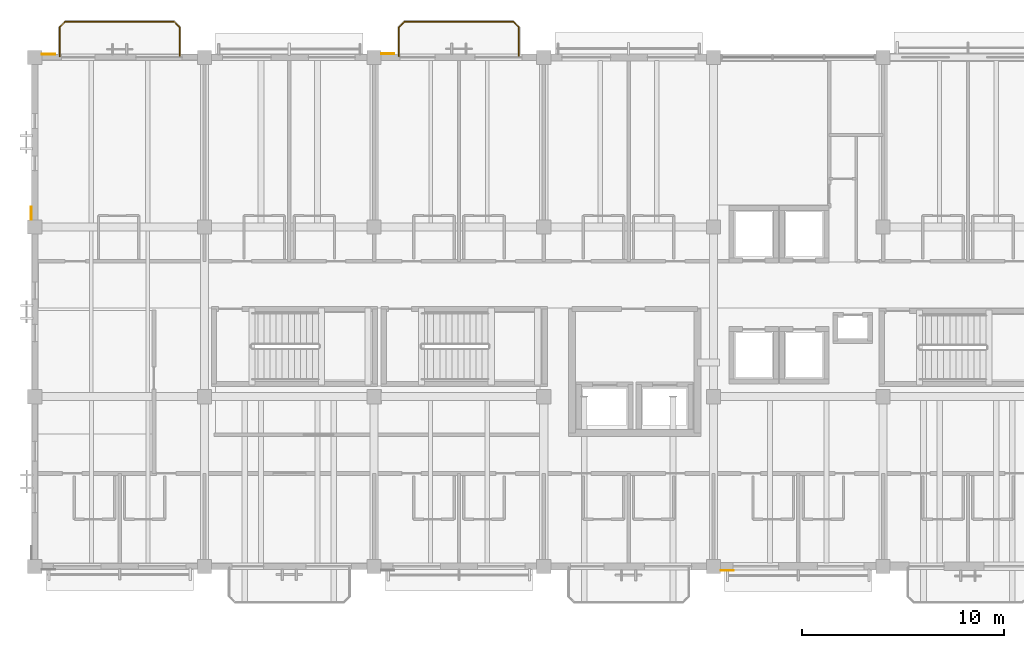
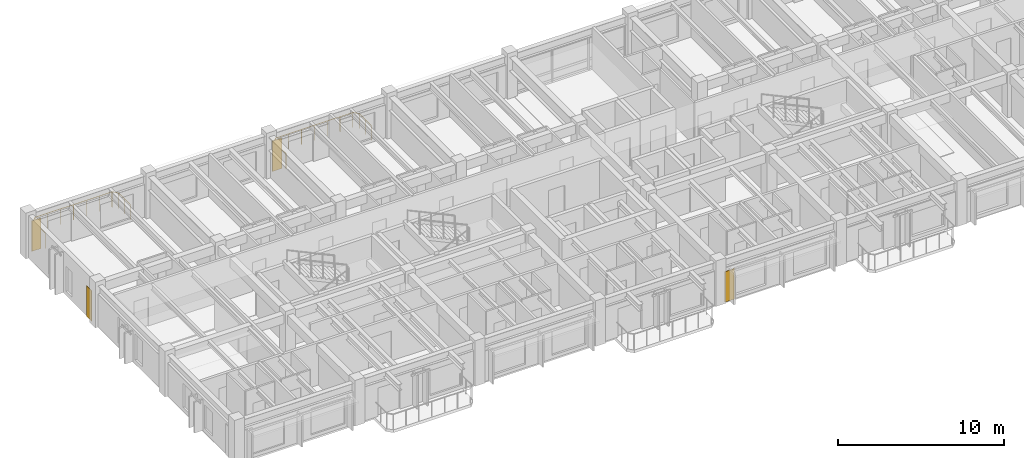
# One storey, part 15 of 18: 4 coverings, 2 railings.
"""IFC4 building model written with IfcOpenShell, lengths in metres."""

import ifcopenshell
import ifcopenshell.guid

model = None  # the IFC model being written
_history = None  # IfcOwnerHistory: only IFC2X3 demands one
_inside = {}  # id of a spatial element -> (the spatial element, [elements in it])
_under = {}  # id of a project, library or spatial element -> (it, [spatial elements below it])
_declared = {}  # id of a project -> (the project, [libraries it declares])
_typed = {}  # id of a type object -> (the type object, [elements of that type])
_made_of = {}  # id of a material, layer set ... -> (it, [elements and type objects made of it])


def new_model(schema):
    """Start an empty IFC model of exactly this schema.

    Asked for "IFC4X3", IfcOpenShell would pick the latest addendum, in which some entities
    have other attributes; the version numbers below select the first issue.
    IFC2X3 requires an IfcOwnerHistory on every rooted entity: one is made here for all.
    """
    global model, _history
    if schema == "IFC4X3":
        model = ifcopenshell.file(schema_version=(4, 3, 0, 0))
    else:
        model = ifcopenshell.file(schema=schema)
    _inside.clear()
    _under.clear()
    _declared.clear()
    _typed.clear()
    _made_of.clear()
    _history = None
    if model.schema == "IFC2X3":
        org = make("IfcOrganization", Name="unknown")
        user = make(
            "IfcPersonAndOrganization",
            ThePerson=make("IfcPerson", FamilyName="unknown"),
            TheOrganization=org,
        )
        app = make(
            "IfcApplication",
            ApplicationDeveloper=org,
            Version="unknown",
            ApplicationFullName="unknown",
            ApplicationIdentifier="unknown",
        )
        _history = make(
            "IfcOwnerHistory",
            OwningUser=user,
            OwningApplication=app,
            ChangeAction="ADDED",
            CreationDate=0,
        )
    return model


def make(cls, **values):
    """One entity of the class cls with the attributes given. An attribute that is None is left unset."""
    return model.create_entity(
        cls, **{name: value for name, value in values.items() if value is not None}
    )


def rooted(cls, **values):
    """An entity with a GlobalId (a new one), such as an element, a storey or a relation."""
    return make(cls, GlobalId=ifcopenshell.guid.new(), OwnerHistory=_history, **values)


def si_unit(unit_type, name, prefix=None):
    """IfcSIUnit, for example si_unit("LENGTHUNIT", "METRE", prefix="MILLI")."""
    return make("IfcSIUnit", UnitType=unit_type, Prefix=prefix, Name=name)


def assignment(units):
    """IfcUnitAssignment: the units of a project."""
    return None if units is None else make("IfcUnitAssignment", Units=units)


def point(xyz):
    """IfcCartesianPoint."""
    return None if xyz is None else make("IfcCartesianPoint", Coordinates=xyz)


def direction(xyz):
    """IfcDirection."""
    return None if xyz is None else make("IfcDirection", DirectionRatios=xyz)


def frame(location, z_axis=None, x_axis=None):
    """IfcAxis2Placement3D, a coordinate frame: its origin and axes. An axis left out is left unset."""
    return make(
        "IfcAxis2Placement3D",
        Location=point(location),
        Axis=direction(z_axis),
        RefDirection=direction(x_axis),
    )


def frame_2d(location, x_axis=None):
    """IfcAxis2Placement2D, a coordinate frame in the plane: its origin and x axis."""
    return make(
        "IfcAxis2Placement2D", Location=point(location), RefDirection=direction(x_axis)
    )


def origin():
    """The frame at (0, 0, 0) with its axes left unset."""
    return frame((0.0, 0.0, 0.0))


def origin_2d():
    """The frame at (0, 0) in the plane with its x axis left unset."""
    return frame_2d((0.0, 0.0))


def place(relative_to, where):
    """IfcLocalPlacement: puts the frame where relative to a parent placement (None: the world)."""
    return make(
        "IfcLocalPlacement", PlacementRelTo=relative_to, RelativePlacement=where
    )


def context(
    kind, dimensions, precision=None, world=None, true_north=None, identifier=None
):
    """IfcGeometricRepresentationContext, for example the 3D "Model" context."""
    return make(
        "IfcGeometricRepresentationContext",
        ContextIdentifier=identifier,
        ContextType=kind,
        CoordinateSpaceDimension=dimensions,
        Precision=precision,
        WorldCoordinateSystem=world,
        TrueNorth=true_north,
    )


def subcontext(parent, identifier, kind, view, scale=None):
    """IfcGeometricRepresentationSubContext, for example "Body" below "Model"."""
    return make(
        "IfcGeometricRepresentationSubContext",
        ContextIdentifier=identifier,
        ContextType=kind,
        ParentContext=parent,
        TargetScale=scale,
        TargetView=view,
    )


def project(units=None, contexts=None):
    """IfcProject with its units and contexts."""
    return rooted(
        "IfcProject",
        Name="project",
        RepresentationContexts=contexts,
        UnitsInContext=assignment(units),
    )


def spatial(cls, under=None, at=None, **own):
    """A site, building, storey or space (cls), placed at a placement, below another one or the project."""
    s = rooted(cls, ObjectPlacement=at, **own)
    if under is not None:
        _under.setdefault(under.id(), (under, []))[1].append(s)
    return s


def polyline(points):
    """IfcPolyline through the points."""
    return make("IfcPolyline", Points=[point(p) for p in points])


def profile(cls, at=None, kind="AREA", **sizes):
    """A parametric profile (cls). Its sizes go by their IFC names, for example OverallWidth=200.0."""
    return make(cls, ProfileType=kind, Position=at, **sizes)


def circle(**sizes):
    """IfcCircleProfileDef."""
    return profile("IfcCircleProfileDef", **sizes)


def outline(outer, holes=None, kind="AREA"):
    """IfcArbitraryClosedProfileDef: a profile drawn as a closed curve; with holes, ...WithVoids."""
    if holes is None:
        return make("IfcArbitraryClosedProfileDef", ProfileType=kind, OuterCurve=outer)
    return make(
        "IfcArbitraryProfileDefWithVoids",
        ProfileType=kind,
        OuterCurve=outer,
        InnerCurves=holes,
    )


def extrude(swept, where, along, depth):
    """IfcExtrudedAreaSolid: the profile swept, set in the frame where, extruded along a direction by depth."""
    return make(
        "IfcExtrudedAreaSolid",
        SweptArea=swept,
        Position=where,
        ExtrudedDirection=direction(along),
        Depth=depth,
    )


def shape(context_of_items, identifier, shape_type, items):
    """IfcShapeRepresentation: the items that make up one representation, for example the "Body"."""
    return make(
        "IfcShapeRepresentation",
        ContextOfItems=context_of_items,
        RepresentationIdentifier=identifier,
        RepresentationType=shape_type,
        Items=items,
    )


def material(Name=None, Category=None):
    """IfcMaterial."""
    return make("IfcMaterial", Name=Name, Category=Category)


def layer(
    of_material, thickness, ventilated=None, Name=None, Category=None, Priority=None
):
    """IfcMaterialLayer: one layer of a wall or slab, of a material (None: an air gap)."""
    return make(
        "IfcMaterialLayer",
        Material=of_material,
        LayerThickness=thickness,
        IsVentilated=ventilated,
        Name=Name,
        Category=Category,
        Priority=Priority,
    )


def layer_set(layers, Name=None):
    """IfcMaterialLayerSet."""
    return make("IfcMaterialLayerSet", MaterialLayers=layers, LayerSetName=Name)


def made_of(thing, what):
    """Note that an element or type object is made of a material, layer set ...; save() writes the relation."""
    if what is not None:
        _made_of.setdefault(what.id(), (what, []))[1].append(thing)
    return thing


def type_object(cls, material=None, **own):
    """A type object (cls), such as IfcWallType, which elements share."""
    return made_of(rooted(cls, **own), material)


def element(
    cls,
    number,
    at=None,
    inside=None,
    cuts=None,
    type_object=None,
    material=None,
    context=None,
    identifier="Body",
    shape_type=None,
    held_by="IfcProductDefinitionShape",
    body=None,
    shapes=None,
    **own,
):
    """One element of the class cls, such as IfcWall. Its Tag is "e" and its number.

    at: its placement. inside: the storey or other place that contains it. cuts: it is an
    opening in that element (IfcRelVoidsElement). A single representation is given by context,
    identifier, shape_type and body (its items); several are given by shapes. held_by: the class
    of the entity that holds the representations. save() writes the other relations.
    """
    e = rooted(cls, Tag="e%d" % number, ObjectPlacement=at, **own)
    if body is not None:
        shapes = [shape(context, identifier, shape_type, body)]
    if shapes is not None:
        e.Representation = make(held_by, Representations=shapes)
    if inside is not None:
        _inside.setdefault(inside.id(), (inside, []))[1].append(e)
    if cuts is not None:
        rooted(
            "IfcRelVoidsElement", RelatingBuildingElement=cuts, RelatedOpeningElement=e
        )
    if type_object is not None:
        _typed.setdefault(type_object.id(), (type_object, []))[1].append(e)
    return made_of(e, material)


def aggregate(whole, parts):
    """IfcRelAggregates: a whole, such as a stair, and the parts it consists of."""
    return rooted("IfcRelAggregates", RelatingObject=whole, RelatedObjects=parts)


def save(model, path):
    """Write the relations noted so far, then the file.

    IfcRelAggregates (storeys below a building ...), IfcRelContainedInSpatialStructure (elements
    in a storey), IfcRelDefinesByType, IfcRelAssociatesMaterial and IfcRelDeclares: one each for
    every whole, place, type object, material and project.
    """
    for whole, parts in _under.values():
        aggregate(whole, parts)
    for where, things in _inside.values():
        rooted(
            "IfcRelContainedInSpatialStructure",
            RelatedElements=things,
            RelatingStructure=where,
        )
    for kind, things in _typed.values():
        rooted("IfcRelDefinesByType", RelatedObjects=things, RelatingType=kind)
    for what, things in _made_of.values():
        rooted("IfcRelAssociatesMaterial", RelatedObjects=things, RelatingMaterial=what)
    for by, libraries in _declared.values():
        rooted("IfcRelDeclares", RelatingContext=by, RelatedDefinitions=libraries)
    model.write(path)


model = new_model("IFC4")

# Units and contexts
model_context = context("Model", 3, precision=1e-05, world=origin(), true_north=direction((0.0, 1.0)))
body_context = subcontext(model_context, "Body", "Model", "MODEL_VIEW")
ifc_project = project(units=[si_unit("LENGTHUNIT", "METRE"), si_unit("AREAUNIT", "SQUARE_METRE"), si_unit("VOLUMEUNIT", "CUBIC_METRE"), si_unit("PLANEANGLEUNIT", "RADIAN"), si_unit("MASSUNIT", "GRAM", prefix="KILO")], contexts=[model_context])

# Site, building, storey
site_placement = place(None, origin())
site = spatial("IfcSite", under=ifc_project, at=site_placement, CompositionType="ELEMENT")
building_placement = place(site_placement, origin())
building = spatial("IfcBuilding", under=site, at=building_placement, Name="Cumbredor Promenade Congress Hotel", CompositionType="ELEMENT")
storey_placement = place(building_placement, frame((0.0, 0.0, 25.199951171875)))
storey = spatial("IfcBuildingStorey", under=building, at=storey_placement, Name="L07", CompositionType="ELEMENT", Elevation=25.199951171875)

# Covering
ifc_material_1 = material(Name="Precast concrete C40/50", Category="concrete")
ifc_layer_1 = layer(ifc_material_1, 0.044921875, Name="Precast concrete C40/50", Category="concrete")
ifc_layer_set_1 = layer_set([ifc_layer_1], Name="Precast concrete C40/50")
covering_type_1 = type_object("IfcCoveringType", Name="Board-Formed Architectural Cladding Panel 45mm", PredefinedType="CLADDING", material=ifc_layer_set_1)
covering_1_placement = place(storey_placement, origin())
element("IfcCovering", 1, at=covering_1_placement, inside=storey, type_object=covering_type_1, Name="L07 Facade Stone Cladding Pier 226", PredefinedType="CLADDING", context=body_context, shape_type="SweptSolid", body=[
    extrude(outline(polyline([(17.15087890625, 117.762451171875), (17.801025390625, 117.762451171875), (17.801025390625, 117.8076171875), (17.15087890625, 117.8076171875), (17.15087890625, 117.762451171875)])), origin(), (0.0, 0.0, 1.0), 2.25),
])

# Railings
ifc_material_2 = material(Name="Brushed stainless steel", Category="steel")
railing_type_1 = type_object("IfcRailingType", Name="Sky Garden Glass-and-Steel Balustrade BAL-1150", PredefinedType="BALUSTRADE", material=ifc_material_2)
railing_1_placement = place(storey_placement, frame((1.22998046875, 117.64990234375, 0.0)))
element("IfcRailing", 2, at=railing_1_placement, inside=storey, type_object=railing_type_1, Name="L07 Veranda Balcony Balustrade 042", PredefinedType="BALUSTRADE", context=body_context, shape_type="SweptSolid", body=[
    extrude(circle(Radius=0.02392578125, at=origin_2d()), frame((0.0, 0.0, 1.1259765625), z_axis=(0.0, 1.0, 0.0), x_axis=(-1.0, 0.0, 0.0)), (0.0, 0.0, 1.0), 1.440185546875),
    extrude(circle(Radius=0.02392578125, at=origin_2d()), frame((0.0, 1.440185546875, 1.1259765625), z_axis=(0.707106781187, 0.707106781187, 0.0), x_axis=(-0.707106781187, 0.707106781187, 0.0)), (0.0, 0.0, 1.0), 0.39599609375),
    extrude(circle(Radius=0.02392578125, at=origin_2d()), frame((0.280029296875, 1.72021484375, 1.1259765625), z_axis=(1.0, 0.0, 0.0), x_axis=(0.0, 1.0, 0.0)), (0.0, 0.0, 1.0), 5.3798828125),
    extrude(circle(Radius=0.02392578125, at=origin_2d()), frame((5.659912109375, 1.72021484375, 1.1259765625), z_axis=(0.707106781187, -0.707106781187, 0.0), x_axis=(0.707106781187, 0.707106781187, 0.0)), (0.0, 0.0, 1.0), 0.39599609375),
    extrude(circle(Radius=0.02392578125, at=origin_2d()), frame((5.93994140625, 1.440185546875, 1.1259765625), z_axis=(0.0, -1.0, 0.0), x_axis=(1.0, 0.0, 0.0)), (0.0, 0.0, 1.0), 1.440185546875),
    extrude(circle(Radius=0.02099609375, at=origin_2d()), origin(), (0.0, 0.0, 1.0), 1.101806640625),
    extrude(circle(Radius=0.02099609375, at=origin_2d()), frame((0.0, 0.72021484375, 0.0)), (0.0, 0.0, 1.0), 1.101806640625),
    extrude(circle(Radius=0.02099609375, at=origin_2d()), frame((0.0, 1.440185546875, 0.0)), (0.0, 0.0, 1.0), 1.101806640625),
    extrude(circle(Radius=0.02099609375, at=origin_2d()), frame((0.280029296875, 1.72021484375, 0.0)), (0.0, 0.0, 1.0), 1.101806640625),
    extrude(circle(Radius=0.02099609375, at=origin_2d()), frame((1.1767578125, 1.72021484375, 0.0)), (0.0, 0.0, 1.0), 1.101806640625),
    extrude(circle(Radius=0.02099609375, at=origin_2d()), frame((2.0732421875, 1.72021484375, 0.0)), (0.0, 0.0, 1.0), 1.101806640625),
    extrude(circle(Radius=0.02099609375, at=origin_2d()), frame((2.969970703125, 1.72021484375, 0.0)), (0.0, 0.0, 1.0), 1.101806640625),
    extrude(circle(Radius=0.02099609375, at=origin_2d()), frame((3.86669921875, 1.72021484375, 0.0)), (0.0, 0.0, 1.0), 1.101806640625),
    extrude(circle(Radius=0.02099609375, at=origin_2d()), frame((4.76318359375, 1.72021484375, 0.0)), (0.0, 0.0, 1.0), 1.101806640625),
    extrude(circle(Radius=0.02099609375, at=origin_2d()), frame((5.659912109375, 1.72021484375, 0.0)), (0.0, 0.0, 1.0), 1.101806640625),
    extrude(circle(Radius=0.02099609375, at=origin_2d()), frame((5.93994140625, 1.440185546875, 0.0)), (0.0, 0.0, 1.0), 1.101806640625),
    extrude(circle(Radius=0.02099609375, at=origin_2d()), frame((5.93994140625, 0.72021484375, 0.0)), (0.0, 0.0, 1.0), 1.101806640625),
    extrude(circle(Radius=0.02099609375, at=origin_2d()), frame((5.93994140625, 0.0, 0.0)), (0.0, 0.0, 1.0), 1.101806640625),
])
railing_type_2 = type_object("IfcRailingType", Name="Terrace Perimeter Balustrade BAL-1120", PredefinedType="BALUSTRADE", material=ifc_material_2)
railing_2_placement = place(storey_placement, frame((18.030029296875, 117.64990234375, 0.0)))
element("IfcRailing", 3, at=railing_2_placement, inside=storey, type_object=railing_type_2, Name="L07 Veranda Balcony Balustrade 043", PredefinedType="BALUSTRADE", context=body_context, shape_type="SweptSolid", body=[
    extrude(circle(Radius=0.02392578125, at=origin_2d()), frame((0.0, 0.0, 1.09619140625), z_axis=(0.0, 1.0, 0.0), x_axis=(-1.0, 0.0, 0.0)), (0.0, 0.0, 1.0), 1.440185546875),
    extrude(circle(Radius=0.02392578125, at=origin_2d()), frame((0.0, 1.440185546875, 1.09619140625), z_axis=(0.707106781187, 0.707106781187, 0.0), x_axis=(-0.707106781187, 0.707106781187, 0.0)), (0.0, 0.0, 1.0), 0.39599609375),
    extrude(circle(Radius=0.02392578125, at=origin_2d()), frame((0.280029296875, 1.72021484375, 1.09619140625), z_axis=(1.0, 0.0, 0.0), x_axis=(0.0, 1.0, 0.0)), (0.0, 0.0, 1.0), 5.3798828125),
    extrude(circle(Radius=0.02392578125, at=origin_2d()), frame((5.659912109375, 1.72021484375, 1.09619140625), z_axis=(0.707106781187, -0.707106781187, 0.0), x_axis=(0.707106781187, 0.707106781187, 0.0)), (0.0, 0.0, 1.0), 0.39599609375),
    extrude(circle(Radius=0.02392578125, at=origin_2d()), frame((5.93994140625, 1.440185546875, 1.09619140625), z_axis=(0.0, -1.0, 0.0), x_axis=(1.0, 0.0, 0.0)), (0.0, 0.0, 1.0), 1.440185546875),
    extrude(circle(Radius=0.02099609375, at=origin_2d()), origin(), (0.0, 0.0, 1.0), 1.072021484375),
    extrude(circle(Radius=0.02099609375, at=origin_2d()), frame((0.0, 0.72021484375, 0.0)), (0.0, 0.0, 1.0), 1.072021484375),
    extrude(circle(Radius=0.02099609375, at=origin_2d()), frame((0.0, 1.440185546875, 0.0)), (0.0, 0.0, 1.0), 1.072021484375),
    extrude(circle(Radius=0.02099609375, at=origin_2d()), frame((0.280029296875, 1.72021484375, 0.0)), (0.0, 0.0, 1.0), 1.072021484375),
    extrude(circle(Radius=0.02099609375, at=origin_2d()), frame((1.1767578125, 1.72021484375, 0.0)), (0.0, 0.0, 1.0), 1.072021484375),
    extrude(circle(Radius=0.02099609375, at=origin_2d()), frame((2.0732421875, 1.72021484375, 0.0)), (0.0, 0.0, 1.0), 1.072021484375),
    extrude(circle(Radius=0.02099609375, at=origin_2d()), frame((2.969970703125, 1.72021484375, 0.0)), (0.0, 0.0, 1.0), 1.072021484375),
    extrude(circle(Radius=0.02099609375, at=origin_2d()), frame((3.86669921875, 1.72021484375, 0.0)), (0.0, 0.0, 1.0), 1.072021484375),
    extrude(circle(Radius=0.02099609375, at=origin_2d()), frame((4.76318359375, 1.72021484375, 0.0)), (0.0, 0.0, 1.0), 1.072021484375),
    extrude(circle(Radius=0.02099609375, at=origin_2d()), frame((5.659912109375, 1.72021484375, 0.0)), (0.0, 0.0, 1.0), 1.072021484375),
    extrude(circle(Radius=0.02099609375, at=origin_2d()), frame((5.93994140625, 1.440185546875, 0.0)), (0.0, 0.0, 1.0), 1.072021484375),
    extrude(circle(Radius=0.02099609375, at=origin_2d()), frame((5.93994140625, 0.72021484375, 0.0)), (0.0, 0.0, 1.0), 1.072021484375),
    extrude(circle(Radius=0.02099609375, at=origin_2d()), frame((5.93994140625, 0.0, 0.0)), (0.0, 0.0, 1.0), 1.072021484375),
])

# Coverings
ifc_material_3 = material(Name="Volcanic andesite ashlar cladding", Category="masonry")
ifc_layer_2 = layer(ifc_material_3, 0.034912109375, Name="Volcanic andesite ashlar cladding", Category="masonry")
ifc_layer_set_2 = layer_set([ifc_layer_2], Name="Volcanic andesite ashlar cladding")
covering_type_2 = type_object("IfcCoveringType", Name="Volcanic Andesite Ashlar Rainscreen Cladding 35mm", PredefinedType="CLADDING", material=ifc_layer_set_2)
covering_2_placement = place(storey_placement, origin())
element("IfcCovering", 4, at=covering_2_placement, inside=storey, type_object=covering_type_2, Name="L07 Facade Stone Cladding Pier 223", PredefinedType="CLADDING", context=body_context, shape_type="SweptSolid", body=[
    extrude(outline(polyline([(33.950927734375, 92.2099609375), (34.60107421875, 92.2099609375), (34.60107421875, 92.175048828125), (33.950927734375, 92.175048828125), (33.950927734375, 92.2099609375)])), origin(), (0.0, 0.0, 1.0), 2.25),
])
covering_3_placement = place(storey_placement, origin())
element("IfcCovering", 5, at=covering_3_placement, inside=storey, type_object=covering_type_2, Name="L07 Facade Stone Cladding Pier 225", PredefinedType="CLADDING", context=body_context, shape_type="SweptSolid", body=[
    extrude(outline(polyline([(0.35107421875, 117.739990234375), (1.0009765625, 117.739990234375), (1.0009765625, 117.77490234375), (0.35107421875, 117.77490234375), (0.35107421875, 117.739990234375)])), origin(), (0.0, 0.0, 1.0), 2.25),
])
covering_4_placement = place(storey_placement, origin())
element("IfcCovering", 6, at=covering_4_placement, inside=storey, type_object=covering_type_2, Name="L07 Facade Stone Cladding Pier 229", PredefinedType="CLADDING", context=body_context, shape_type="SweptSolid", body=[
    extrude(outline(polyline([(-0.16259765625, 109.551025390625), (-0.16259765625, 110.200927734375), (-0.197509765625, 110.200927734375), (-0.197509765625, 109.551025390625), (-0.16259765625, 109.551025390625)])), origin(), (0.0, 0.0, 1.0), 2.25),
])

save(model, "model.ifc")
